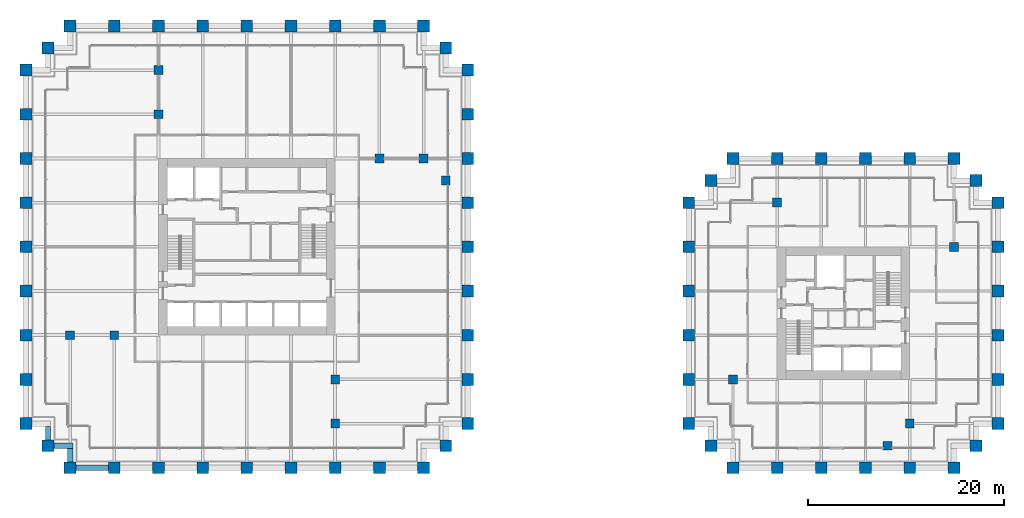
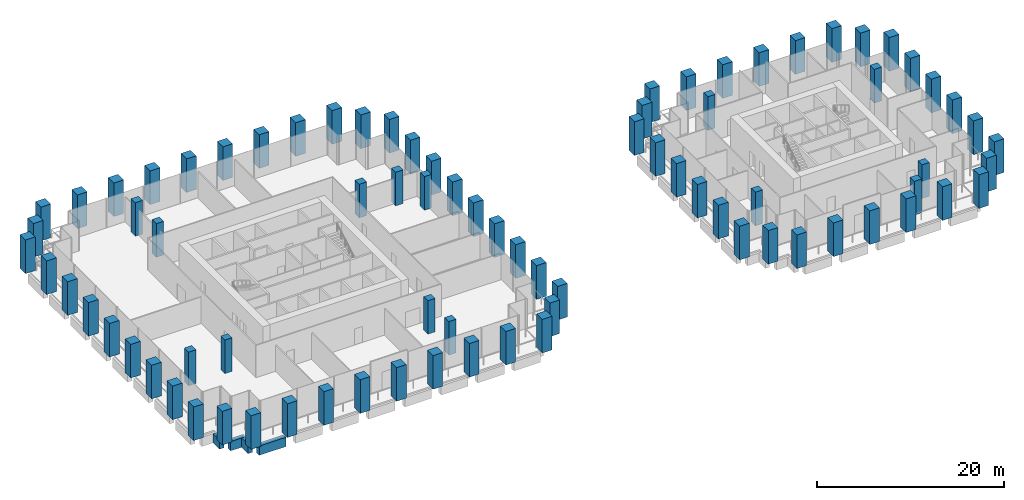
# One storey, part 1 of 36: 82 columns, 4 beams.
"""IFC4 building model written with IfcOpenShell, lengths in metres."""

from ifc_helpers import new_model, si_unit, direction, frame, origin, origin_2d, place, context, subcontext, project, spatial, rectangle, extrude, material, material_profile, profile_set, type_object, element, save


model = new_model("IFC4")

# Units and contexts
model_context = context("Model", 3, precision=1e-05, world=origin(), true_north=direction((0.0, 1.0)))
body_context = subcontext(model_context, "Body", "Model", "MODEL_VIEW")
ifc_project = project(units=[si_unit("LENGTHUNIT", "METRE"), si_unit("AREAUNIT", "SQUARE_METRE"), si_unit("VOLUMEUNIT", "CUBIC_METRE"), si_unit("PLANEANGLEUNIT", "RADIAN"), si_unit("MASSUNIT", "GRAM", prefix="KILO")], contexts=[model_context])

# Site, building, storey
site_placement = place(None, origin())
site = spatial("IfcSite", under=ifc_project, at=site_placement, CompositionType="ELEMENT")
building_placement = place(site_placement, origin())
building = spatial("IfcBuilding", under=site, at=building_placement, Name="Altepetl Exchange Towers", CompositionType="ELEMENT")
storey_placement = place(building_placement, frame((0.0, 0.0, 38.60009765625)))
storey = spatial("IfcBuildingStorey", under=building, at=storey_placement, Name="L08", CompositionType="ELEMENT", Elevation=38.60009765625)

# Columns
ifc_material_1 = material(Name="Concrete C70/85", Category="concrete")
ifc_material_profile_1 = material_profile(ifc_material_1, rectangle(XDim=0.89990234375, YDim=0.89990234375, at=origin_2d()), Name="900 x 900")
ifc_profile_set_1 = profile_set([ifc_material_profile_1], Name="Concrete C70/85")
column_type_1 = type_object("IfcColumnType", Name="Interior column 900", PredefinedType="COLUMN", material=ifc_profile_set_1)
for number, where, name in (
    (1, (31.5, 40.5, 0.0), "col:A:L08:040"),
    (2, (36.0, 40.5, 0.0), "col:A:L08:041"),
    (3, (40.5, 63.0, 0.0), "col:A:L08:042"),
    (4, (40.5, 67.5, 0.0), "col:A:L08:043"),
    (5, (58.5, 31.5, 0.0), "col:A:L08:044"),
    (6, (58.5, 36.0, 0.0), "col:A:L08:045"),
    (7, (63.0, 58.5, 0.0), "col:A:L08:046"),
    (8, (67.5, 58.5, 0.0), "col:A:L08:047"),
    (9, (69.75, 56.25, 0.0), "col:A:L08:048"),
    (10, (99.0, 36.0, 0.0), "col:B:L08:028"),
    (11, (103.5, 54.0, 0.0), "col:B:L08:029"),
    (12, (114.75, 29.25, 0.0), "col:B:L08:030"),
    (13, (117.0, 31.5, 0.0), "col:B:L08:031"),
    (14, (121.5, 49.5, 0.0), "col:B:L08:032"),
):
    element("IfcColumn", number, at=place(storey_placement, frame(where)), inside=storey, type_object=column_type_1, Name=name, PredefinedType="COLUMN", context=body_context, shape_type="SweptSolid", body=[
        extrude(rectangle(XDim=0.89990234375, YDim=0.89990234375, at=origin_2d()), origin(), (0.0, 0.0, 1.0), 4.39990234375),
    ])
ifc_material_2 = material(Name="Concrete C70/85 precast with cantera amarilla facing", Category="concrete")
ifc_material_profile_2 = material_profile(ifc_material_2, rectangle(XDim=1.199951171875, YDim=1.199951171875, at=origin_2d()), Name="1200 x 1200")
ifc_profile_set_2 = profile_set([ifc_material_profile_2], Name="Concrete C70/85 precast with cantera amarilla facing")
column_type_2 = type_object("IfcColumnType", Name="Perimeter column 1200 cantera amarilla", PredefinedType="COLUMN", material=ifc_profile_set_2)
for number, where, name in (
    (15, (58.5, 27.0, 0.0), "col:A:L08:006"),
    (16, (63.0, 27.0, 0.0), "col:A:L08:007"),
    (17, (67.5, 27.0, 0.0), "col:A:L08:008"),
    (18, (69.75, 29.25, 0.0), "col:A:L08:009"),
    (19, (72.0, 31.5, 0.0), "col:A:L08:010"),
    (20, (72.0, 36.0, 0.0), "col:A:L08:011"),
    (21, (72.0, 40.5, 0.0), "col:A:L08:012"),
    (22, (72.0, 45.0, 0.0), "col:A:L08:013"),
    (23, (72.0, 49.5, 0.0), "col:A:L08:014"),
    (24, (72.0, 54.0, 0.0), "col:A:L08:015"),
    (25, (126.0, 49.5, 0.0), "col:B:L08:011"),
    (26, (126.0, 54.0, 0.0), "col:B:L08:012"),
    (27, (123.75, 56.25, 0.0), "col:B:L08:013"),
    (28, (121.5, 58.5, 0.0), "col:B:L08:014"),
    (29, (117.0, 58.5, 0.0), "col:B:L08:015"),
    (30, (112.5, 58.5, 0.0), "col:B:L08:016"),
    (31, (108.0, 58.5, 0.0), "col:B:L08:017"),
):
    element("IfcColumn", number, at=place(storey_placement, frame(where)), inside=storey, type_object=column_type_2, Name=name, PredefinedType="COLUMN", context=body_context, shape_type="SweptSolid", body=[
        extrude(rectangle(XDim=1.199951171875, YDim=1.199951171875, at=origin_2d()), origin(), (0.0, 0.0, 1.0), 4.39990234375),
    ])
ifc_material_3 = material(Name="Concrete C70/85 precast with cantera blanca facing", Category="concrete")
ifc_material_profile_3 = material_profile(ifc_material_3, rectangle(XDim=1.199951171875, YDim=1.199951171875, at=origin_2d()), Name="1200 x 1200")
ifc_profile_set_3 = profile_set([ifc_material_profile_3], Name="Concrete C70/85 precast with cantera blanca facing")
column_type_3 = type_object("IfcColumnType", Name="Perimeter column 1200 cantera blanca", PredefinedType="COLUMN", material=ifc_profile_set_3)
for number, where, name in (
    (32, (31.5, 27.0, 0.0), "col:A:L08:000"),
    (33, (36.0, 27.0, 0.0), "col:A:L08:001"),
    (34, (40.5, 27.0, 0.0), "col:A:L08:002"),
    (35, (45.0, 27.0, 0.0), "col:A:L08:003"),
    (36, (49.5, 27.0, 0.0), "col:A:L08:004"),
    (37, (54.0, 27.0, 0.0), "col:A:L08:005"),
    (38, (27.0, 36.0, 0.0), "col:A:L08:037"),
    (39, (27.0, 31.5, 0.0), "col:A:L08:038"),
    (40, (29.25, 29.25, 0.0), "col:A:L08:039"),
    (41, (117.0, 27.0, 0.0), "col:B:L08:004"),
    (42, (121.5, 27.0, 0.0), "col:B:L08:005"),
    (43, (123.75, 29.25, 0.0), "col:B:L08:006"),
    (44, (126.0, 31.5, 0.0), "col:B:L08:007"),
    (45, (126.0, 36.0, 0.0), "col:B:L08:008"),
    (46, (126.0, 40.5, 0.0), "col:B:L08:009"),
    (47, (126.0, 45.0, 0.0), "col:B:L08:010"),
):
    element("IfcColumn", number, at=place(storey_placement, frame(where)), inside=storey, type_object=column_type_3, Name=name, PredefinedType="COLUMN", context=body_context, shape_type="SweptSolid", body=[
        extrude(rectangle(XDim=1.199951171875, YDim=1.199951171875, at=origin_2d()), origin(), (0.0, 0.0, 1.0), 4.39990234375),
    ])
ifc_material_4 = material(Name="Concrete C70/85 precast with cantera rosa facing", Category="concrete")
ifc_material_profile_4 = material_profile(ifc_material_4, rectangle(XDim=1.199951171875, YDim=1.199951171875, at=origin_2d()), Name="1200 x 1200")
ifc_profile_set_4 = profile_set([ifc_material_profile_4], Name="Concrete C70/85 precast with cantera rosa facing")
column_type_4 = type_object("IfcColumnType", Name="Perimeter column 1200 cantera rosa", PredefinedType="COLUMN", material=ifc_profile_set_4)
for number, where, name in (
    (48, (72.0, 58.5, 0.0), "col:A:L08:016"),
    (49, (72.0, 63.0, 0.0), "col:A:L08:017"),
    (50, (72.0, 67.5, 0.0), "col:A:L08:018"),
    (51, (69.75, 69.75, 0.0), "col:A:L08:019"),
    (52, (67.5, 72.0, 0.0), "col:A:L08:020"),
    (53, (63.0, 72.0, 0.0), "col:A:L08:021"),
    (54, (58.5, 72.0, 0.0), "col:A:L08:022"),
    (55, (54.0, 72.0, 0.0), "col:A:L08:023"),
    (56, (49.5, 72.0, 0.0), "col:A:L08:024"),
    (57, (45.0, 72.0, 0.0), "col:A:L08:025"),
    (58, (103.5, 58.5, 0.0), "col:B:L08:018"),
    (59, (99.0, 58.5, 0.0), "col:B:L08:019"),
    (60, (96.75, 56.25, 0.0), "col:B:L08:020"),
    (61, (94.5, 54.0, 0.0), "col:B:L08:021"),
    (62, (94.5, 49.5, 0.0), "col:B:L08:022"),
    (63, (94.5, 45.0, 0.0), "col:B:L08:023"),
    (64, (94.5, 40.5, 0.0), "col:B:L08:024"),
    (65, (94.5, 36.0, 0.0), "col:B:L08:025"),
):
    element("IfcColumn", number, at=place(storey_placement, frame(where)), inside=storey, type_object=column_type_4, Name=name, PredefinedType="COLUMN", context=body_context, shape_type="SweptSolid", body=[
        extrude(rectangle(XDim=1.199951171875, YDim=1.199951171875, at=origin_2d()), origin(), (0.0, 0.0, 1.0), 4.39990234375),
    ])
ifc_material_5 = material(Name="Concrete C70/85 precast with tezontle facing", Category="concrete")
ifc_material_profile_5 = material_profile(ifc_material_5, rectangle(XDim=1.199951171875, YDim=1.199951171875, at=origin_2d()), Name="1200 x 1200")
ifc_profile_set_5 = profile_set([ifc_material_profile_5], Name="Concrete C70/85 precast with tezontle facing")
column_type_5 = type_object("IfcColumnType", Name="Perimeter column 1200 tezontle", PredefinedType="COLUMN", material=ifc_profile_set_5)
for number, where, name in (
    (66, (40.5, 72.0, 0.0), "col:A:L08:026"),
    (67, (36.0, 72.0, 0.0), "col:A:L08:027"),
    (68, (31.5, 72.0, 0.0), "col:A:L08:028"),
    (69, (29.25, 69.75, 0.0), "col:A:L08:029"),
    (70, (27.0, 67.5, 0.0), "col:A:L08:030"),
    (71, (27.0, 63.0, 0.0), "col:A:L08:031"),
    (72, (27.0, 58.5, 0.0), "col:A:L08:032"),
    (73, (27.0, 54.0, 0.0), "col:A:L08:033"),
    (74, (27.0, 49.5, 0.0), "col:A:L08:034"),
    (75, (27.0, 45.0, 0.0), "col:A:L08:035"),
    (76, (27.0, 40.5, 0.0), "col:A:L08:036"),
    (77, (99.0, 27.0, 0.0), "col:B:L08:000"),
    (78, (103.5, 27.0, 0.0), "col:B:L08:001"),
    (79, (108.0, 27.0, 0.0), "col:B:L08:002"),
    (80, (112.5, 27.0, 0.0), "col:B:L08:003"),
    (81, (94.5, 31.5, 0.0), "col:B:L08:026"),
    (82, (96.75, 29.25, 0.0), "col:B:L08:027"),
):
    element("IfcColumn", number, at=place(storey_placement, frame(where)), inside=storey, type_object=column_type_5, Name=name, PredefinedType="COLUMN", context=body_context, shape_type="SweptSolid", body=[
        extrude(rectangle(XDim=1.199951171875, YDim=1.199951171875, at=origin_2d()), origin(), (0.0, 0.0, 1.0), 4.39990234375),
    ])

# Beams
ifc_material_6 = material(Name="Concrete C50/60 precast with cantera blanca facing", Category="concrete")
ifc_material_profile_6 = material_profile(ifc_material_6, rectangle(XDim=0.550048828125, YDim=1.199951171875, at=origin_2d()), Name="550 x 1200")
ifc_profile_set_6 = profile_set([ifc_material_profile_6], Name="Concrete C50/60 precast with cantera blanca facing")
beam_type = type_object("IfcBeamType", Name="Spandrel beam 550x1200 cantera blanca", PredefinedType="SPANDREL", material=ifc_profile_set_6)
beam_1_placement = place(storey_placement, frame((32.10009765625, 27.0, -0.775146484375), z_axis=(1.0, 0.0, 0.0), x_axis=(0.0, 1.0, 0.0)))
element("IfcBeam", 83, at=beam_1_placement, inside=storey, type_object=beam_type, Name="sp:A:L08:000", PredefinedType="SPANDREL", context=body_context, shape_type="SweptSolid", body=[
    extrude(rectangle(XDim=0.550048828125, YDim=1.199951171875, at=origin_2d()), origin(), (0.0, 0.0, 1.0), 3.2998046875),
])
beam_2_placement = place(storey_placement, frame((29.25, 31.22509765625, -0.775146484375), z_axis=(0.0, -1.0, 0.0), x_axis=(1.0, 0.0, 0.0)))
element("IfcBeam", 84, at=beam_2_placement, inside=storey, type_object=beam_type, Name="sp:A:L08:045", PredefinedType="SPANDREL", context=body_context, shape_type="SweptSolid", body=[
    extrude(rectangle(XDim=0.550048828125, YDim=1.199951171875, at=origin_2d()), origin(), (0.0, 0.0, 1.0), 1.375),
])
beam_3_placement = place(storey_placement, frame((29.85009765625, 29.25, -0.775146484375), z_axis=(1.0, 0.0, 0.0), x_axis=(0.0, 1.0, 0.0)))
element("IfcBeam", 85, at=beam_3_placement, inside=storey, type_object=beam_type, Name="sp:A:L08:046", PredefinedType="SPANDREL", context=body_context, shape_type="SweptSolid", body=[
    extrude(rectangle(XDim=0.550048828125, YDim=1.199951171875, at=origin_2d()), origin(), (0.0, 0.0, 1.0), 1.9248046875),
])
beam_4_placement = place(storey_placement, frame((31.5, 28.97509765625, -0.775146484375), z_axis=(0.0, -1.0, 0.0), x_axis=(1.0, 0.0, 0.0)))
element("IfcBeam", 86, at=beam_4_placement, inside=storey, type_object=beam_type, Name="sp:A:L08:047", PredefinedType="SPANDREL", context=body_context, shape_type="SweptSolid", body=[
    extrude(rectangle(XDim=0.550048828125, YDim=1.199951171875, at=origin_2d()), origin(), (0.0, 0.0, 1.0), 1.375),
])

save(model, "model.ifc")
